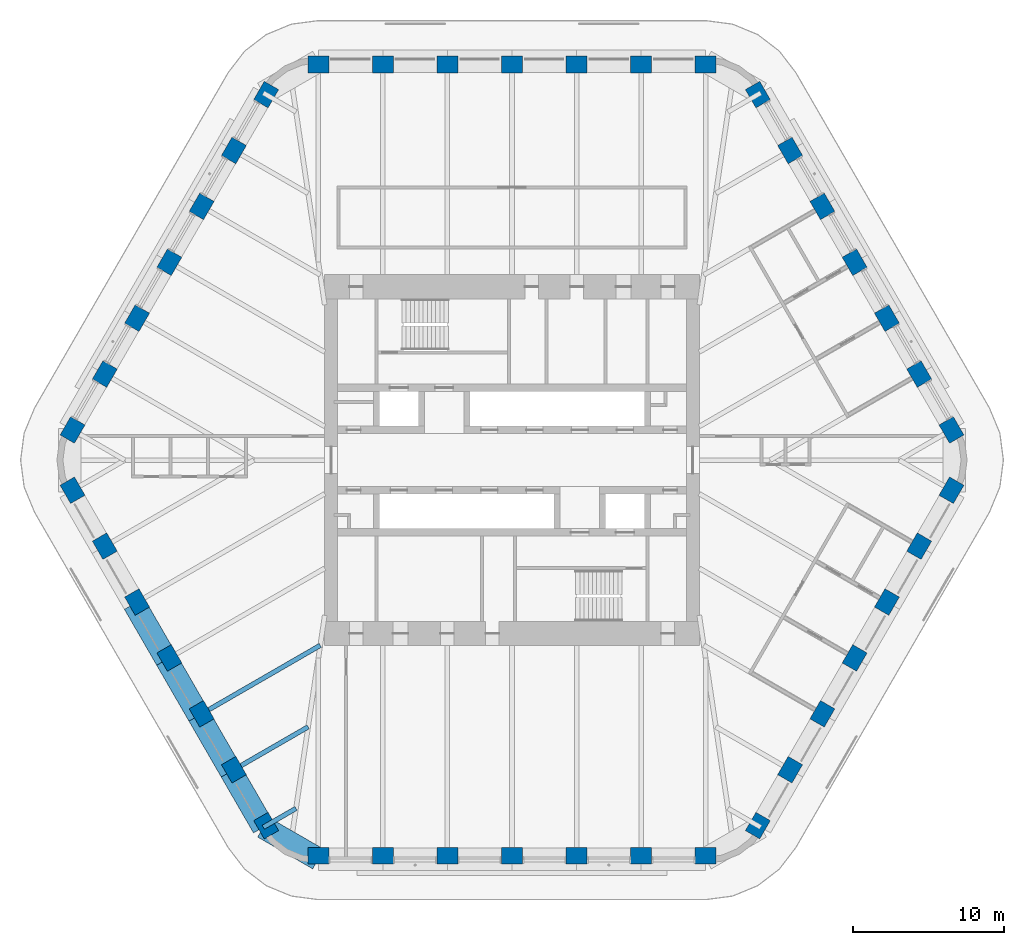
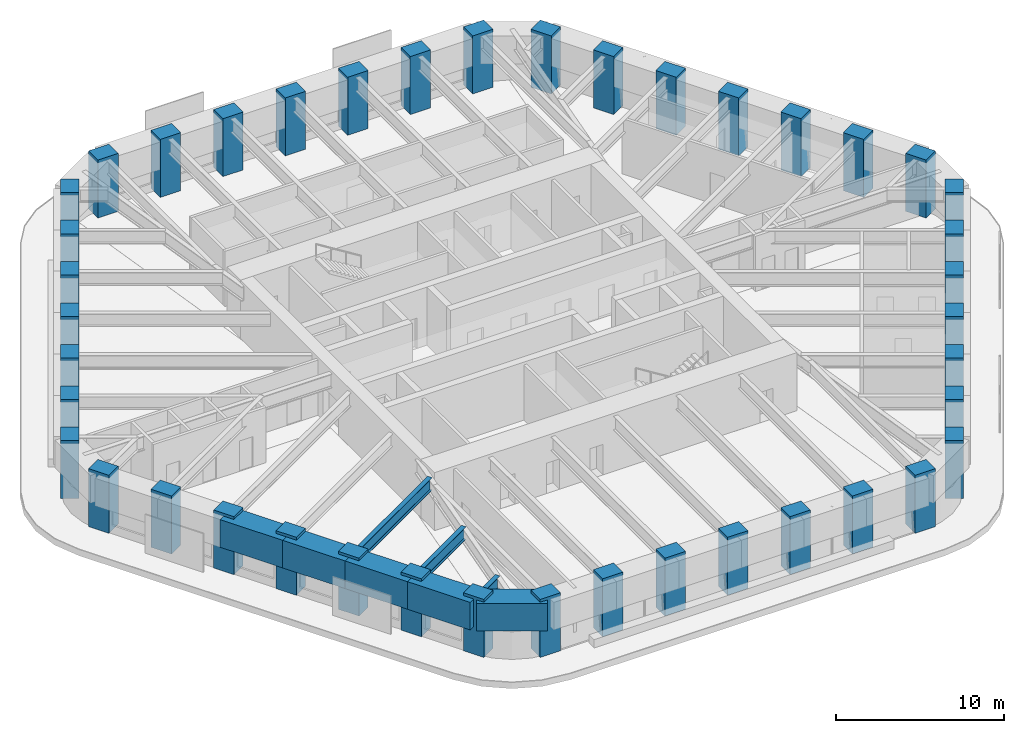
# One storey, part 1 of 18: 42 columns, 8 beams.
"""IFC4 building model written with IfcOpenShell, lengths in metres."""

from ifc_helpers import new_model, si_unit, direction, frame, origin, origin_2d, place, context, subcontext, project, spatial, rectangle, i_section, extrude, material, material_profile, profile_set, type_object, element, save


model = new_model("IFC4")

# Units and contexts
model_context = context("Model", 3, precision=1e-05, world=origin(), true_north=direction((0.0, 1.0)))
body_context = subcontext(model_context, "Body", "Model", "MODEL_VIEW")
ifc_project = project(units=[si_unit("LENGTHUNIT", "METRE"), si_unit("AREAUNIT", "SQUARE_METRE"), si_unit("VOLUMEUNIT", "CUBIC_METRE"), si_unit("PLANEANGLEUNIT", "RADIAN"), si_unit("MASSUNIT", "GRAM", prefix="KILO")], contexts=[model_context])

# Site, building, storey
site_placement = place(None, origin())
site = spatial("IfcSite", under=ifc_project, at=site_placement, CompositionType="ELEMENT")
building_placement = place(site_placement, origin())
building = spatial("IfcBuilding", under=site, at=building_placement, Name="Tarfa Lantern Tower", CompositionType="ELEMENT")
storey_placement = place(building_placement, frame((0.0, 0.0, 319.89990234375)))
storey = spatial("IfcBuildingStorey", under=building, at=storey_placement, Name="L72", CompositionType="ELEMENT", Elevation=319.89990234375)

# Columns
ifc_material_1 = material(Name="Concrete C80/95", Category="concrete")
ifc_material_profile_1 = material_profile(ifc_material_1, rectangle(XDim=1.39990234375, YDim=1.10009765625, at=origin_2d()), Name="RC 1400x1100")
ifc_profile_set_1 = profile_set([ifc_material_profile_1], Name="Concrete C80/95")
column_type = type_object("IfcColumnType", Name="TC13 RC 1400x1100", PredefinedType="COLUMN", material=ifc_profile_set_1)
for number, where, z_axis, x_axis, name in (
    (1, (29.15625, 2.0, 0.0), (0.0, 0.0, 1.0), (-0.5, 0.866025403784, 0.0), "Tube column NE0"),
    (2, (27.01513671875, 5.708251953125, 0.0), (0.0, 0.0, 1.0), (-0.5, 0.866025403784, 0.0), "Tube column NE1"),
    (3, (24.874267578125, 9.416748046875, 0.0), (0.0, 0.0, 1.0), (-0.5, 0.866025403784, 0.0), "Tube column NE2"),
    (4, (22.733154296875, 13.125, 0.0), (0.0, 0.0, 1.0), (-0.5, 0.866025403784, 0.0), "Tube column NE3"),
    (5, (20.592041015625, 16.833251953125, 0.0), (0.0, 0.0, 1.0), (-0.5, 0.866025403784, 0.0), "Tube column NE4"),
    (6, (18.451171875, 20.541748046875, 0.0), (0.0, 0.0, 1.0), (-0.5, 0.866025403784, 0.0), "Tube column NE5"),
    (7, (16.31005859375, 24.25, 0.0), (0.0, 0.0, 1.0), (-0.5, 0.866025403784, 0.0), "Tube column NE6"),
    (8, (12.845947265625, 26.25, 0.0), (0.0, 0.0, 1.0), (-1.0, 0.0, 0.0), "Tube column N0"),
    (9, (8.56396484375, 26.25, 0.0), (0.0, 0.0, 1.0), (-1.0, 0.0, 0.0), "Tube column N1"),
    (10, (4.281982421875, 26.25, 0.0), (0.0, 0.0, 1.0), (-1.0, 0.0, 0.0), "Tube column N2"),
    (11, (0.0, 26.25, 0.0), (0.0, 0.0, 1.0), (-1.0, 0.0, 0.0), "Tube column N3"),
    (12, (-4.281982421875, 26.25, 0.0), (0.0, 0.0, 1.0), (-1.0, 0.0, 0.0), "Tube column N4"),
    (13, (-8.56396484375, 26.25, 0.0), (0.0, 0.0, 1.0), (-1.0, 0.0, 0.0), "Tube column N5"),
    (14, (-12.845947265625, 26.25, 0.0), (0.0, 0.0, 1.0), (-1.0, 0.0, 0.0), "Tube column N6"),
    (15, (-16.31005859375, 24.25, 0.0), (0.0, 0.0, 1.0), (-0.5, -0.866025403784, 0.0), "Tube column NW0"),
    (16, (-18.451171875, 20.541748046875, 0.0), (0.0, 0.0, 1.0), (-0.5, -0.866025403784, 0.0), "Tube column NW1"),
    (17, (-20.592041015625, 16.833251953125, 0.0), (0.0, 0.0, 1.0), (-0.5, -0.866025403784, 0.0), "Tube column NW2"),
    (18, (-22.733154296875, 13.125, 0.0), (0.0, 0.0, 1.0), (-0.5, -0.866025403784, 0.0), "Tube column NW3"),
    (19, (-24.874267578125, 9.416748046875, 0.0), (0.0, 0.0, 1.0), (-0.5, -0.866025403784, 0.0), "Tube column NW4"),
    (20, (-27.01513671875, 5.708251953125, 0.0), (0.0, 0.0, 1.0), (-0.5, -0.866025403784, 0.0), "Tube column NW5"),
    (21, (-29.15625, 2.0, 0.0), (0.0, 0.0, 1.0), (-0.5, -0.866025403784, 0.0), "Tube column NW6"),
    (22, (-29.15625, -2.0, 0.0), (0.0, 0.0, 1.0), (0.5, -0.866025403784, 0.0), "Tube column SW0"),
    (23, (-27.01513671875, -5.708251953125, 0.0), (0.0, 0.0, 1.0), (0.5, -0.866025403784, 0.0), "Tube column SW1"),
    (24, (-24.874267578125, -9.416748046875, 0.0), (0.0, 0.0, 1.0), (0.5, -0.866025403784, 0.0), "Tube column SW2"),
    (25, (-22.733154296875, -13.125, 0.0), (0.0, 0.0, 1.0), (0.5, -0.866025403784, 0.0), "Tube column SW3"),
    (26, (-20.592041015625, -16.833251953125, 0.0), (0.0, 0.0, 1.0), (0.5, -0.866025403784, 0.0), "Tube column SW4"),
    (27, (-18.451171875, -20.541748046875, 0.0), (0.0, 0.0, 1.0), (0.5, -0.866025403784, 0.0), "Tube column SW5"),
    (28, (-16.31005859375, -24.25, 0.0), (0.0, 0.0, 1.0), (0.5, -0.866025403784, 0.0), "Tube column SW6"),
    (29, (-12.845947265625, -26.25, 0.0), (0.0, 0.0, 1.0), (1.0, 0.0, 0.0), "Tube column S0"),
    (30, (-8.56396484375, -26.25, 0.0), (0.0, 0.0, 1.0), (1.0, 0.0, 0.0), "Tube column S1"),
    (31, (-4.281982421875, -26.25, 0.0), (0.0, 0.0, 1.0), (1.0, 0.0, 0.0), "Tube column S2"),
    (32, (0.0, -26.25, 0.0), (0.0, 0.0, 1.0), (1.0, 0.0, 0.0), "Tube column S3"),
    (33, (4.281982421875, -26.25, 0.0), (0.0, 0.0, 1.0), (1.0, 0.0, 0.0), "Tube column S4"),
    (34, (8.56396484375, -26.25, 0.0), (0.0, 0.0, 1.0), (1.0, 0.0, 0.0), "Tube column S5"),
    (35, (12.845947265625, -26.25, 0.0), (0.0, 0.0, 1.0), (1.0, 0.0, 0.0), "Tube column S6"),
    (36, (16.31005859375, -24.25, 0.0), (0.0, 0.0, 1.0), (0.5, 0.866025403784, 0.0), "Tube column SE0"),
    (37, (18.451171875, -20.541748046875, 0.0), (0.0, 0.0, 1.0), (0.5, 0.866025403784, 0.0), "Tube column SE1"),
    (38, (20.592041015625, -16.833251953125, 0.0), (0.0, 0.0, 1.0), (0.5, 0.866025403784, 0.0), "Tube column SE2"),
    (39, (22.733154296875, -13.125, 0.0), (0.0, 0.0, 1.0), (0.5, 0.866025403784, 0.0), "Tube column SE3"),
    (40, (24.874267578125, -9.416748046875, 0.0), (0.0, 0.0, 1.0), (0.5, 0.866025403784, 0.0), "Tube column SE4"),
    (41, (27.01513671875, -5.708251953125, 0.0), (0.0, 0.0, 1.0), (0.5, 0.866025403784, 0.0), "Tube column SE5"),
    (42, (29.15625, -2.0, 0.0), (0.0, 0.0, 1.0), (0.5, 0.866025403784, 0.0), "Tube column SE6"),
):
    element("IfcColumn", number, at=place(storey_placement, frame(where, z_axis=z_axis, x_axis=x_axis)), inside=storey, type_object=column_type, Name=name, PredefinedType="COLUMN", context=body_context, shape_type="SweptSolid", body=[
        extrude(rectangle(XDim=1.39990234375, YDim=1.10009765625, at=origin_2d()), origin(), (0.0, 0.0, 1.0), 4.2001953125),
    ])

# Beams
ifc_material_profile_2 = material_profile(ifc_material_1, rectangle(XDim=1.5, YDim=2.0, at=origin_2d()), Name="RC 1500x2000")
ifc_profile_set_2 = profile_set([ifc_material_profile_2], Name="Concrete C80/95")
beam_type_1 = type_object("IfcBeamType", Name="RB3 RC 1500x2000", PredefinedType="BEAM", material=ifc_profile_set_2)
beam_1_placement = place(storey_placement, frame((-25.064697265625, -9.526611328125, 3.0), z_axis=(0.500002112793, -0.866024183959, 0.0), x_axis=(0.866024183959, 0.500002112793, 0.0)))
element("IfcBeam", 43, at=beam_1_placement, inside=storey, type_object=beam_type_1, Name="Edge beam SW2", PredefinedType="BEAM", context=body_context, shape_type="SweptSolid", body=[
    extrude(rectangle(XDim=1.5, YDim=2.0, at=origin_2d()), origin(), (0.0, 0.0, 1.0), 4.2822265625),
])
for number, where, z_axis, x_axis, name in (
    (44, (-22.923583984375, -13.235107421875, 3.0), (0.499984039138, -0.866034618596, 0.0), (0.866034618596, 0.499984039138, 0.0), "Edge beam SW3"),
    (45, (-20.78271484375, -16.943359375, 3.0), (0.500026801138, -0.866009929587, 0.0), (0.866009929587, 0.500026801138, 0.0), "Edge beam SW4"),
    (46, (-18.6416015625, -20.651611328125, 3.0), (0.499959351497, -0.866048870937, 0.0), (0.866048870937, 0.499959351497, 0.0), "Edge beam SW5"),
):
    element("IfcBeam", number, at=place(storey_placement, frame(where, z_axis=z_axis, x_axis=x_axis)), inside=storey, type_object=beam_type_1, Name=name, PredefinedType="BEAM", context=body_context, shape_type="SweptSolid", body=[
        extrude(rectangle(XDim=1.5, YDim=2.0, at=origin_2d()), origin(), (0.0, 0.0, 1.0), 4.281982421875),
    ])
beam_2_placement = place(storey_placement, frame((-16.500732421875, -24.360107421875, 3.0), z_axis=(0.866048788483, -0.499959494327, 0.0), x_axis=(0.499959494327, 0.866048788483, 0.0)))
element("IfcBeam", 47, at=beam_2_placement, inside=storey, type_object=beam_type_1, Name="Edge beam SW6", PredefinedType="BEAM", context=body_context, shape_type="SweptSolid", body=[
    extrude(rectangle(XDim=1.5, YDim=2.0, at=origin_2d()), origin(), (0.0, 0.0, 1.0), 4.219970703125),
])
ifc_material_2 = material(Name="Steel S460M", Category="steel")
ifc_material_profile_3 = material_profile(ifc_material_2, i_section(OverallWidth=0.305419921875, OverallDepth=0.91845703125, WebThickness=0.017333984375, FlangeThickness=0.02783203125, FilletRadius=0.01904296875, at=origin_2d()), Name="UB914x305x253")
ifc_profile_set_3 = profile_set([ifc_material_profile_3], Name="Steel S460M")
beam_type_2 = type_object("IfcBeamType", Name="UB914x305x253", PredefinedType="BEAM", material=ifc_profile_set_3)
beam_3_placement = place(storey_placement, frame((-20.78271484375, -16.943359375, 3.541015625), z_axis=(0.866021806508, 0.500006230613, 0.0), x_axis=(-0.500006230613, 0.866021806508, 0.0)))
element("IfcBeam", 48, at=beam_3_placement, inside=storey, type_object=beam_type_2, Name="Floor beam SW4", PredefinedType="BEAM", context=body_context, shape_type="SweptSolid", body=[
    extrude(i_section(OverallWidth=0.305419921875, OverallDepth=0.91845703125, WebThickness=0.017333984375, FlangeThickness=0.02783203125, FilletRadius=0.01904296875, at=origin_2d()), origin(), (0.0, 0.0, 1.0), 9.30908203125),
])
beam_4_placement = place(storey_placement, frame((-18.6416015625, -20.651611328125, 3.541015625), z_axis=(0.866024549157, 0.500001480256, 0.0), x_axis=(-0.500001480256, 0.866024549157, 0.0)))
element("IfcBeam", 49, at=beam_4_placement, inside=storey, type_object=beam_type_2, Name="Floor beam SW5", PredefinedType="BEAM", context=body_context, shape_type="SweptSolid", body=[
    extrude(i_section(OverallWidth=0.305419921875, OverallDepth=0.91845703125, WebThickness=0.017333984375, FlangeThickness=0.02783203125, FilletRadius=0.01904296875, at=origin_2d()), origin(), (0.0, 0.0, 1.0), 5.90771484375),
])
beam_5_placement = place(storey_placement, frame((-16.500732421875, -24.360107421875, 3.541015625), z_axis=(0.865992557167, 0.500056887695, 0.0), x_axis=(-0.500056887695, 0.865992557167, 0.0)))
element("IfcBeam", 50, at=beam_5_placement, inside=storey, type_object=beam_type_2, Name="Floor beam SW6", PredefinedType="BEAM", context=body_context, shape_type="SweptSolid", body=[
    extrude(i_section(OverallWidth=0.305419921875, OverallDepth=0.91845703125, WebThickness=0.017333984375, FlangeThickness=0.02783203125, FilletRadius=0.01904296875, at=origin_2d()), origin(), (0.0, 0.0, 1.0), 2.506591796875),
])

save(model, "model.ifc")
